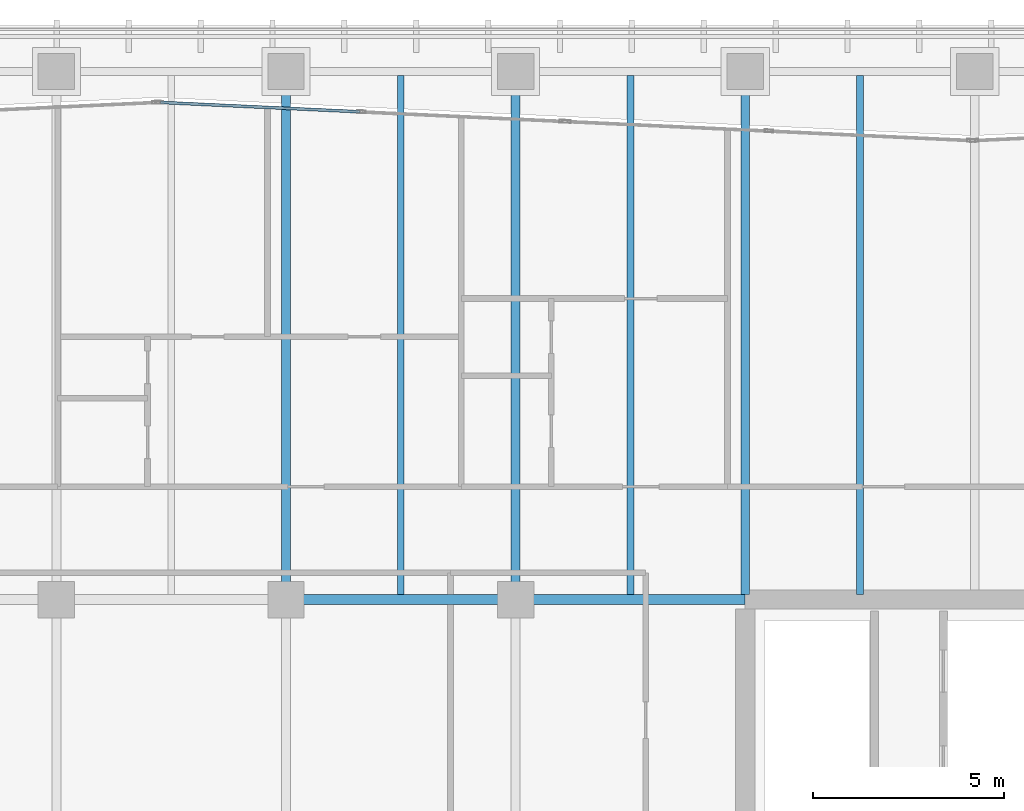
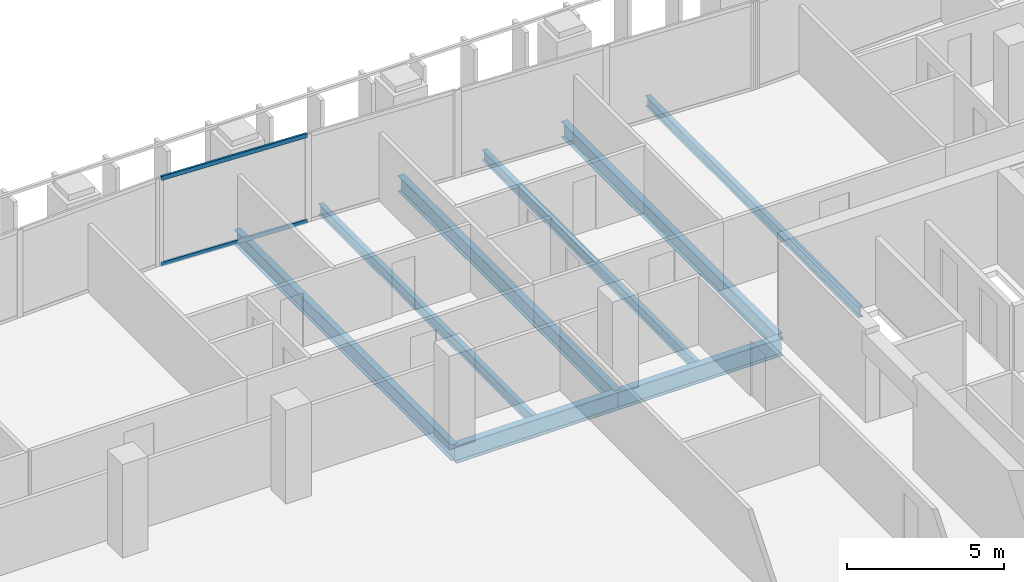
# One storey, part 16 of 39: 8 beams, 2 members, 1 element without a shape of its own.
"""IFC4 building model written with IfcOpenShell, lengths in metres."""

from ifc_helpers import new_model, si_unit, direction, frame, origin, origin_2d, place, context, subcontext, project, spatial, hollow_rectangle, i_section, extrude, material, layer, layer_set, material_profile, profile_set, type_object, element, aggregate, save


model = new_model("IFC4")

# Units and contexts
model_context = context("Model", 3, precision=1e-05, world=origin(), true_north=direction((0.0, 1.0)))
body_context = subcontext(model_context, "Body", "Model", "MODEL_VIEW")
ifc_project = project(units=[si_unit("LENGTHUNIT", "METRE"), si_unit("AREAUNIT", "SQUARE_METRE"), si_unit("VOLUMEUNIT", "CUBIC_METRE"), si_unit("PLANEANGLEUNIT", "RADIAN"), si_unit("MASSUNIT", "GRAM", prefix="KILO")], contexts=[model_context])

# Site, building, storey
site_placement = place(None, origin())
site = spatial("IfcSite", under=ifc_project, at=site_placement, CompositionType="ELEMENT")
building_placement = place(site_placement, origin())
building = spatial("IfcBuilding", under=site, at=building_placement, Name="Tanjung Sevakor Pilgrim Tower", CompositionType="ELEMENT")
storey_placement = place(building_placement, frame((0.0, 0.0, 108.570068359375)))
storey = spatial("IfcBuildingStorey", under=building, at=storey_placement, Name="L30", CompositionType="ELEMENT", Elevation=108.570068359375)

# Beams
ifc_material_1 = material(Name="Steel S355J2", Category="steel")
ifc_material_profile_1 = material_profile(ifc_material_1, i_section(OverallWidth=0.25439453125, OverallDepth=0.6875, WebThickness=0.01318359375, FlangeThickness=0.02099609375, FilletRadius=0.01513671875, at=origin_2d()))
ifc_profile_set_1 = profile_set([ifc_material_profile_1], Name="Steel S355J2")
beam_type_1 = type_object("IfcBeamType", Name="BM-B-G2-UB_686x254x152", PredefinedType="BEAM", material=ifc_profile_set_1)
for number, where, z_axis, x_axis, name in (
    (1, (66.0, 42.60009765625, -0.56396484375), (1.0, 0.0, 0.0), (0.0, 1.0, 0.0), "L30 Primary Floor Girder MAIN Y426-07"),
    (2, (72.0, 42.60009765625, -0.56396484375), (1.0, 0.0, 0.0), (0.0, 1.0, 0.0), "L30 Primary Floor Girder MAIN Y426-08"),
):
    element("IfcBeam", number, at=place(storey_placement, frame(where, z_axis=z_axis, x_axis=x_axis)), inside=storey, type_object=beam_type_1, Name=name, PredefinedType="BEAM", context=body_context, shape_type="SweptSolid", body=[
        extrude(i_section(OverallWidth=0.25439453125, OverallDepth=0.6875, WebThickness=0.01318359375, FlangeThickness=0.02099609375, FilletRadius=0.01513671875, at=origin_2d()), origin(), (0.0, 0.0, 1.0), 6.0),
    ])
ifc_material_2 = material(Name="Steel S355J2", Category="steel")
ifc_material_profile_2 = material_profile(ifc_material_2, i_section(OverallWidth=0.230224609375, OverallDepth=0.6171875, WebThickness=0.01318359375, FlangeThickness=0.022216796875, FilletRadius=0.0126953125, at=origin_2d()))
ifc_profile_set_2 = profile_set([ifc_material_profile_2], Name="Steel S355J2")
beam_type_2 = type_object("IfcBeamType", Name="BM-B-G3-UB_610x229x140", PredefinedType="BEAM", material=ifc_profile_set_2)
for number, where, z_axis, x_axis, name in (
    (3, (66.0, 42.60009765625, -0.528564453125), (0.0, 1.0, 0.0), (-1.0, 0.0, 0.0), "L30 MAIN Girder 029"),
    (4, (72.0, 42.60009765625, -0.528564453125), (0.0, 1.0, 0.0), (-1.0, 0.0, 0.0), "L30 MAIN Girder 034"),
):
    element("IfcBeam", number, at=place(storey_placement, frame(where, z_axis=z_axis, x_axis=x_axis)), inside=storey, type_object=beam_type_2, Name=name, PredefinedType="BEAM", context=body_context, shape_type="SweptSolid", body=[
        extrude(i_section(OverallWidth=0.230224609375, OverallDepth=0.6171875, WebThickness=0.01318359375, FlangeThickness=0.022216796875, FilletRadius=0.0126953125, at=origin_2d()), origin(), (0.0, 0.0, 1.0), 13.7998046875),
    ])
beam_placement = place(storey_placement, frame((78.0, 42.727294921875, -0.528564453125), z_axis=(0.0, 1.0, 0.0), x_axis=(-1.0, 0.0, 0.0)))
element("IfcBeam", 5, at=beam_placement, inside=storey, type_object=beam_type_2, Name="L30 MAIN Girder 038", PredefinedType="BEAM", context=body_context, shape_type="SweptSolid", body=[
    extrude(i_section(OverallWidth=0.230224609375, OverallDepth=0.6171875, WebThickness=0.01318359375, FlangeThickness=0.022216796875, FilletRadius=0.0126953125, at=origin_2d()), origin(), (0.0, 0.0, 1.0), 13.672607421875),
])
ifc_material_3 = material(Name="Steel S355J2", Category="steel")
ifc_material_profile_3 = material_profile(ifc_material_3, i_section(OverallWidth=0.1787109375, OverallDepth=0.409423828125, WebThickness=0.0087890625, FlangeThickness=0.014404296875, FilletRadius=0.01025390625, at=origin_2d()))
ifc_profile_set_3 = profile_set([ifc_material_profile_3], Name="Steel S355J2")
beam_type_3 = type_object("IfcBeamType", Name="BM-B-J3-UB_406x178x67", PredefinedType="JOIST", material=ifc_profile_set_3)
for number, where, z_axis, x_axis, name in (
    (6, (69.0, 42.727294921875, -0.4248046875), (0.0, 1.0, 0.0), (-1.0, 0.0, 0.0), "L30 MAIN Joist 031"),
    (7, (75.0, 42.727294921875, -0.4248046875), (0.0, 1.0, 0.0), (-1.0, 0.0, 0.0), "L30 MAIN Joist 036"),
    (8, (81.0, 42.727294921875, -0.4248046875), (0.0, 1.0, 0.0), (-1.0, 0.0, 0.0), "L30 MAIN Joist 040"),
):
    element("IfcBeam", number, at=place(storey_placement, frame(where, z_axis=z_axis, x_axis=x_axis)), inside=storey, type_object=beam_type_3, Name=name, PredefinedType="JOIST", context=body_context, shape_type="SweptSolid", body=[
        extrude(i_section(OverallWidth=0.1787109375, OverallDepth=0.409423828125, WebThickness=0.0087890625, FlangeThickness=0.014404296875, FilletRadius=0.01025390625, at=origin_2d()), origin(), (0.0, 0.0, 1.0), 13.57275390625),
    ])

# Curtain wall, members
ifc_material_4 = material(Name="Aluminium 6063-T6 and Low-E Glass", Category="aluminium")
ifc_layer = layer(ifc_material_4, 0.199951171875)
ifc_layer_set = layer_set([ifc_layer], Name="CW-SYS-PRAY")
curtain_wall_type = type_object("IfcCurtainWallType", Name="CW-SYS-PRAY", PredefinedType="NOTDEFINED", material=ifc_layer_set)
curtain_wall_placement = place(storey_placement, origin())
curtain_wall = element("IfcCurtainWall", 9, at=curtain_wall_placement, inside=storey, type_object=curtain_wall_type, Name="L30 Curtain Wall CW-PRY-L30-22", PredefinedType="NOTDEFINED")
ifc_material_5 = material(Name="Aluminium 6063-T6", Category="aluminium")
ifc_material_profile_4 = material_profile(ifc_material_5, hollow_rectangle(XDim=0.074951171875, YDim=0.159912109375, WallThickness=0.00439453125, at=origin_2d()))
ifc_profile_set_4 = profile_set([ifc_material_profile_4], Name="Aluminium 6063-T6")
member_type = type_object("IfcMemberType", Name="TYPE-CWT-2", PredefinedType="USERDEFINED", material=ifc_profile_set_4)
member_1_placement = place(storey_placement, frame((67.9345703125, 55.3466796875, 0.037353515625), z_axis=(-0.998899373751, 0.046904595928, 0.0), x_axis=(-0.046904595928, -0.998899373751, 0.0)))
member_1 = element("IfcMember", 10, at=member_1_placement, type_object=member_type, Name="CW-PRY transom 2.1", ObjectType="TRANSOM", PredefinedType="USERDEFINED", context=body_context, shape_type="SweptSolid", body=[
    extrude(hollow_rectangle(XDim=0.074951171875, YDim=0.159912109375, WallThickness=0.00439453125, at=origin_2d()), origin(), (0.0, 0.0, 1.0), 5.215576171875),
])
member_2_placement = place(storey_placement, frame((67.9345703125, 55.3466796875, 3.372314453125), z_axis=(-0.998899373751, 0.046904595928, 0.0), x_axis=(-0.046904595928, -0.998899373751, 0.0)))
member_2 = element("IfcMember", 11, at=member_2_placement, type_object=member_type, Name="CW-PRY transom 2.2", ObjectType="TRANSOM", PredefinedType="USERDEFINED", context=body_context, shape_type="SweptSolid", body=[
    extrude(hollow_rectangle(XDim=0.074951171875, YDim=0.159912109375, WallThickness=0.00439453125, at=origin_2d()), origin(), (0.0, 0.0, 1.0), 5.215576171875),
])
aggregate(curtain_wall, [member_1, member_2])

save(model, "model.ifc")
